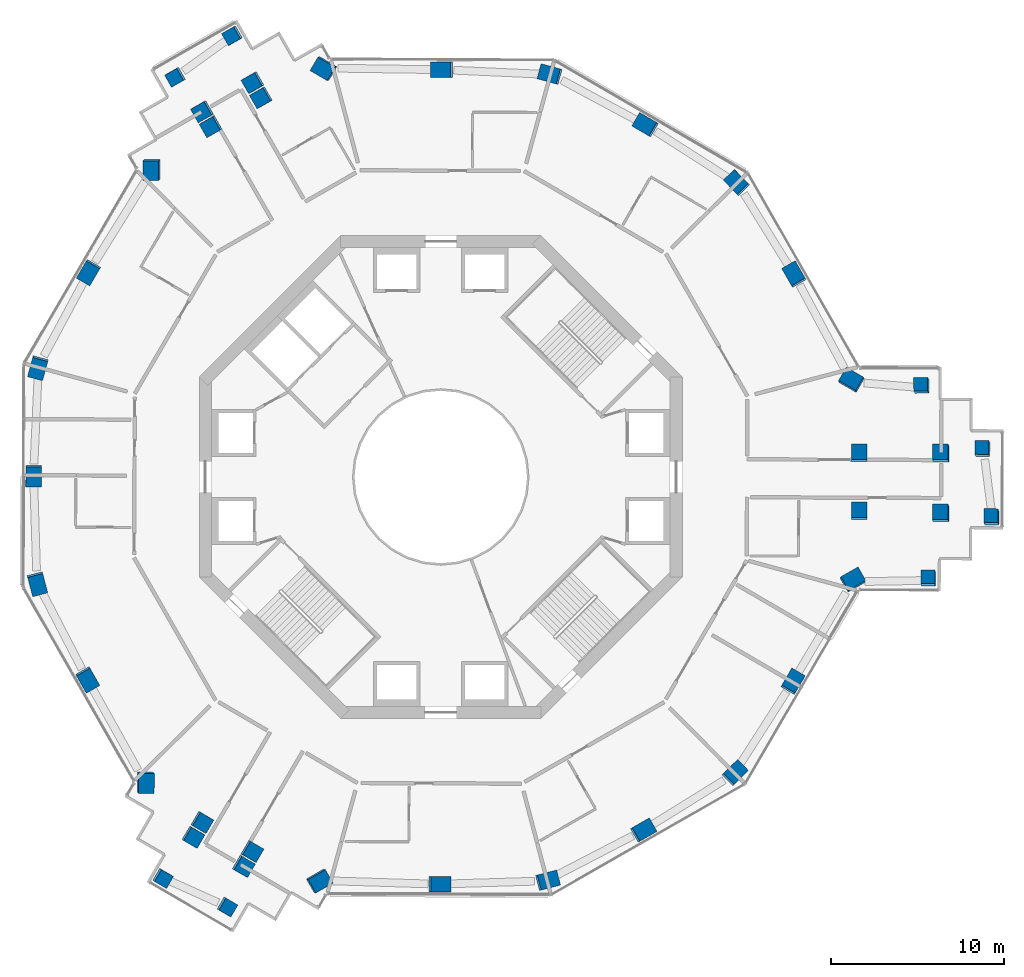
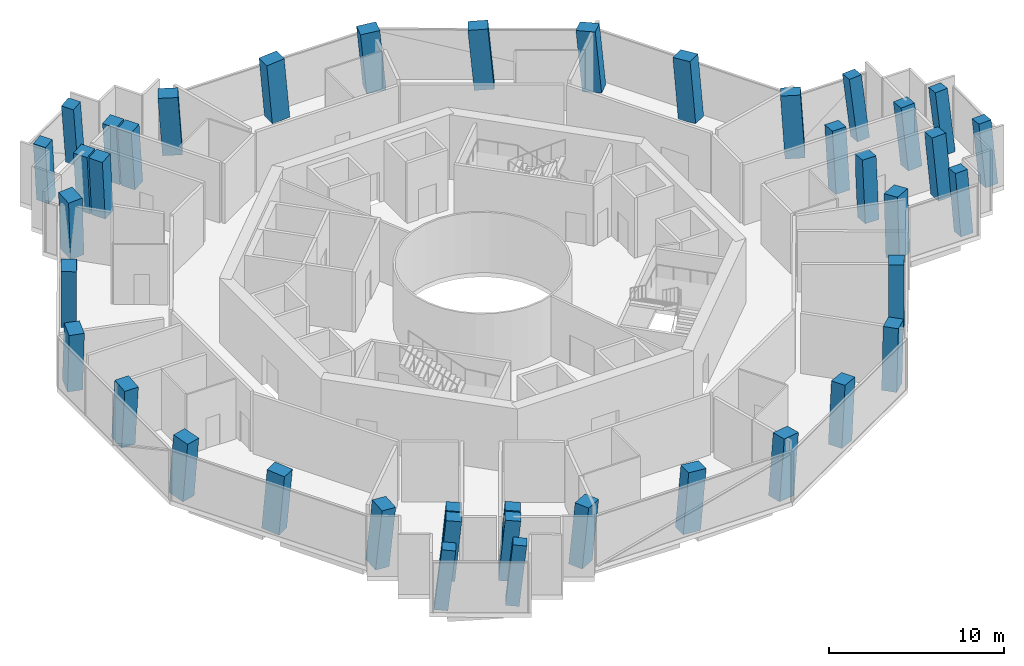
# One storey, part 1 of 16: 41 columns.
"""IFC4 building model written with IfcOpenShell, lengths in metres."""

from ifc_helpers import new_model, si_unit, direction, frame, origin, origin_2d, place, context, subcontext, project, spatial, rectangle, extrude, material, material_profile, profile_set, type_object, element, save


model = new_model("IFC4")

# Units and contexts
model_context = context("Model", 3, precision=1e-05, world=origin(), true_north=direction((0.0, 1.0)))
body_context = subcontext(model_context, "Body", "Model", "MODEL_VIEW")
ifc_project = project(units=[si_unit("LENGTHUNIT", "METRE"), si_unit("AREAUNIT", "SQUARE_METRE"), si_unit("VOLUMEUNIT", "CUBIC_METRE"), si_unit("PLANEANGLEUNIT", "RADIAN"), si_unit("MASSUNIT", "GRAM", prefix="KILO")], contexts=[model_context])

# Site, building, storey
site_placement = place(None, origin())
site = spatial("IfcSite", under=ifc_project, at=site_placement, CompositionType="ELEMENT")
building_placement = place(site_placement, origin())
building = spatial("IfcBuilding", under=site, at=building_placement, Name="Verdalira Terraces Hotel", CompositionType="ELEMENT")
storey_placement = place(building_placement, frame((0.0, 0.0, 154.0)))
storey = spatial("IfcBuildingStorey", under=building, at=storey_placement, Name="L37", CompositionType="ELEMENT", Elevation=154.0)

# Columns
ifc_material_1 = material(Name="Concrete C60", Category="concrete")
ifc_material_profile_1 = material_profile(ifc_material_1, rectangle(XDim=1.149902, YDim=0.899902, at=origin_2d()), Name="RC 1150X900")
ifc_profile_set_1 = profile_set([ifc_material_profile_1], Name="Concrete C60")
column_type_1 = type_object("IfcColumnType", Name="Column RC 1150X900 C60", PredefinedType="COLUMN", material=ifc_profile_set_1)
column_1_placement = place(storey_placement, frame((-16.736816, 17.828613, 0.0), z_axis=(-0.065629746, -0.062612287, 0.995877722), x_axis=(0.000393045, 0.99802773, 0.062773363)))
element("IfcColumn", 1, at=column_1_placement, inside=storey, type_object=column_type_1, Name="Column C01", PredefinedType="COLUMN", context=body_context, shape_type="SweptSolid", body=[
    extrude(rectangle(XDim=1.149902, YDim=0.899902, at=origin_2d()), origin(), (0.0, 0.0, 1.0), 4.207275),
])
column_2_placement = place(storey_placement, frame((-20.395752, 11.889648, 0.0), z_axis=(-0.04347539, -0.075980354, 0.996161069), x_axis=(-0.502014727, -0.860417708, -0.087536174)))
element("IfcColumn", 2, at=column_2_placement, inside=storey, type_object=column_type_1, Name="Column C02", PredefinedType="COLUMN", context=body_context, shape_type="SweptSolid", body=[
    extrude(rectangle(XDim=1.149902, YDim=0.899902, at=origin_2d()), origin(), (0.0, 0.0, 1.0), 4.206055),
])
column_3_placement = place(storey_placement, frame((-23.341797, 6.359375, 0.0), z_axis=(-0.022865105, -0.086759726, 0.995966835), x_axis=(0.261939638, 0.960904851, 0.08971897)))
element("IfcColumn", 3, at=column_3_placement, inside=storey, type_object=column_type_1, Name="Column C03", PredefinedType="COLUMN", context=body_context, shape_type="SweptSolid", body=[
    extrude(rectangle(XDim=1.149902, YDim=0.899902, at=origin_2d()), origin(), (0.0, 0.0, 1.0), 4.206787),
])
column_4_placement = place(storey_placement, frame((-23.608154, 0.098877, 0.0), z_axis=(0.000348268, -0.087531282, 0.99616171), x_axis=(-0.004447239, -0.996152055, -0.087528879)))
element("IfcColumn", 4, at=column_4_placement, inside=storey, type_object=column_type_1, Name="Column C04", PredefinedType="COLUMN", context=body_context, shape_type="SweptSolid", body=[
    extrude(rectangle(XDim=1.149902, YDim=0.899902, at=origin_2d()), origin(), (0.0, 0.0, 1.0), 4.206055),
])
column_5_placement = place(storey_placement, frame((-23.394287, -6.163574, 0.0), z_axis=(0.023561597, -0.086527935, 0.995970766), x_axis=(-0.253551051, 0.963156374, 0.089675322)))
element("IfcColumn", 5, at=column_5_placement, inside=storey, type_object=column_type_1, Name="Column C05", PredefinedType="COLUMN", context=body_context, shape_type="SweptSolid", body=[
    extrude(rectangle(XDim=1.149902, YDim=0.899902, at=origin_2d()), origin(), (0.0, 0.0, 1.0), 4.206787),
])
column_6_placement = place(storey_placement, frame((-20.494629, -11.718506, 0.0), z_axis=(0.044113811, -0.075631969, 0.996159514), x_axis=(0.494611965, -0.864692618, -0.087553873)))
element("IfcColumn", 6, at=column_6_placement, inside=storey, type_object=column_type_1, Name="Column C06", PredefinedType="COLUMN", context=body_context, shape_type="SweptSolid", body=[
    extrude(rectangle(XDim=1.149902, YDim=0.899902, at=origin_2d()), origin(), (0.0, 0.0, 1.0), 4.206055),
])
column_7_placement = place(storey_placement, frame((-17.139648, -17.686768, 0.0), z_axis=(0.066090264, -0.063014949, 0.995821868), x_axis=(0.008616564, 0.998002686, 0.062581089)))
element("IfcColumn", 7, at=column_7_placement, inside=storey, type_object=column_type_1, Name="Column C07", PredefinedType="COLUMN", context=body_context, shape_type="SweptSolid", body=[
    extrude(rectangle(XDim=1.149902, YDim=0.899902, at=origin_2d()), origin(), (0.0, 0.0, 1.0), 4.20752),
])
column_8_placement = place(storey_placement, frame((-7.071533, -23.408936, 0.0), z_axis=(0.087042203, -0.025474352, 0.995878864), x_axis=(-0.864210798, -0.499199651, 0.062764687)))
element("IfcColumn", 8, at=column_8_placement, inside=storey, type_object=column_type_1, Name="Column C10", PredefinedType="COLUMN", context=body_context, shape_type="SweptSolid", body=[
    extrude(rectangle(XDim=1.149902, YDim=0.899902, at=origin_2d()), origin(), (0.0, 0.0, 1.0), 4.207275),
])
column_9_placement = place(storey_placement, frame((-0.098877, -23.608154, 0.0), z_axis=(0.087531282, 0.000348268, 0.99616171), x_axis=(0.996152055, -0.004447239, -0.087528879)))
element("IfcColumn", 9, at=column_9_placement, inside=storey, type_object=column_type_1, Name="Column C11", PredefinedType="COLUMN", context=body_context, shape_type="SweptSolid", body=[
    extrude(rectangle(XDim=1.149902, YDim=0.899902, at=origin_2d()), origin(), (0.0, 0.0, 1.0), 4.206055),
])
column_10_placement = place(storey_placement, frame((6.163574, -23.394287, 0.0), z_axis=(0.086527935, 0.023561597, 0.995970766), x_axis=(-0.963156374, -0.253551051, 0.089675322)))
element("IfcColumn", 10, at=column_10_placement, inside=storey, type_object=column_type_1, Name="Column C12", PredefinedType="COLUMN", context=body_context, shape_type="SweptSolid", body=[
    extrude(rectangle(XDim=1.149902, YDim=0.899902, at=origin_2d()), origin(), (0.0, 0.0, 1.0), 4.206787),
])
column_11_placement = place(storey_placement, frame((11.718506, -20.494629, 0.0), z_axis=(0.075631969, 0.044113811, 0.996159514), x_axis=(0.864692618, 0.494611965, -0.087553873)))
element("IfcColumn", 11, at=column_11_placement, inside=storey, type_object=column_type_1, Name="Column C13", PredefinedType="COLUMN", context=body_context, shape_type="SweptSolid", body=[
    extrude(rectangle(XDim=1.149902, YDim=0.899902, at=origin_2d()), origin(), (0.0, 0.0, 1.0), 4.206055),
])
column_12_placement = place(storey_placement, frame((17.034912, -17.178223, 0.0), z_axis=(0.063198321, 0.063662588, 0.995968397), x_axis=(-0.707618105, -0.700878187, 0.089701637)))
element("IfcColumn", 12, at=column_12_placement, inside=storey, type_object=column_type_1, Name="Column C14", PredefinedType="COLUMN", context=body_context, shape_type="SweptSolid", body=[
    extrude(rectangle(XDim=1.149902, YDim=0.899902, at=origin_2d()), origin(), (0.0, 0.0, 1.0), 4.206787),
])
column_13_placement = place(storey_placement, frame((20.395752, -11.889648, 0.0), z_axis=(0.04347539, 0.075980354, 0.996161069), x_axis=(0.502014727, 0.860417708, -0.087536174)))
element("IfcColumn", 13, at=column_13_placement, inside=storey, type_object=column_type_1, Name="Column C15", PredefinedType="COLUMN", context=body_context, shape_type="SweptSolid", body=[
    extrude(rectangle(XDim=1.149902, YDim=0.899902, at=origin_2d()), origin(), (0.0, 0.0, 1.0), 4.206055),
])
column_14_placement = place(storey_placement, frame((23.886963, -6.0, 0.0), z_axis=(0.021527251, 0.088720126, 0.995823939), x_axis=(-0.868632881, -0.491490043, 0.062565614)))
element("IfcColumn", 14, at=column_14_placement, inside=storey, type_object=column_type_1, Name="Column C16", PredefinedType="COLUMN", context=body_context, shape_type="SweptSolid", body=[
    extrude(rectangle(XDim=1.149902, YDim=0.899902, at=origin_2d()), origin(), (0.0, 0.0, 1.0), 4.20752),
])
column_15_placement = place(storey_placement, frame((23.808594, 5.580322, 0.0), z_axis=(-0.021470464, 0.088086932, 0.995881374), x_axis=(0.864523456, -0.498660387, 0.062745609)))
element("IfcColumn", 15, at=column_15_placement, inside=storey, type_object=column_type_1, Name="Column C21", PredefinedType="COLUMN", context=body_context, shape_type="SweptSolid", body=[
    extrude(rectangle(XDim=1.149902, YDim=0.899902, at=origin_2d()), origin(), (0.0, 0.0, 1.0), 4.207275),
])
column_16_placement = place(storey_placement, frame((20.494629, 11.718506, 0.0), z_axis=(-0.044113811, 0.075631969, 0.996159514), x_axis=(-0.494611965, 0.864692618, -0.087553873)))
element("IfcColumn", 16, at=column_16_placement, inside=storey, type_object=column_type_1, Name="Column C22", PredefinedType="COLUMN", context=body_context, shape_type="SweptSolid", body=[
    extrude(rectangle(XDim=1.149902, YDim=0.899902, at=origin_2d()), origin(), (0.0, 0.0, 1.0), 4.206055),
])
column_17_placement = place(storey_placement, frame((17.178223, 17.034912, 0.0), z_axis=(-0.063662588, 0.063198321, 0.995968397), x_axis=(0.700878187, -0.707618105, 0.089701637)))
element("IfcColumn", 17, at=column_17_placement, inside=storey, type_object=column_type_1, Name="Column C23", PredefinedType="COLUMN", context=body_context, shape_type="SweptSolid", body=[
    extrude(rectangle(XDim=1.149902, YDim=0.899902, at=origin_2d()), origin(), (0.0, 0.0, 1.0), 4.206787),
])
column_18_placement = place(storey_placement, frame((11.889648, 20.395752, 0.0), z_axis=(-0.075980354, 0.04347539, 0.996161069), x_axis=(-0.860417708, 0.502014727, -0.087536174)))
element("IfcColumn", 18, at=column_18_placement, inside=storey, type_object=column_type_1, Name="Column C24", PredefinedType="COLUMN", context=body_context, shape_type="SweptSolid", body=[
    extrude(rectangle(XDim=1.149902, YDim=0.899902, at=origin_2d()), origin(), (0.0, 0.0, 1.0), 4.206055),
])
column_19_placement = place(storey_placement, frame((6.359375, 23.341797, 0.0), z_axis=(-0.086759726, 0.022865105, 0.995966835), x_axis=(0.960904851, -0.261939638, 0.08971897)))
element("IfcColumn", 19, at=column_19_placement, inside=storey, type_object=column_type_1, Name="Column C25", PredefinedType="COLUMN", context=body_context, shape_type="SweptSolid", body=[
    extrude(rectangle(XDim=1.149902, YDim=0.899902, at=origin_2d()), origin(), (0.0, 0.0, 1.0), 4.206787),
])
column_20_placement = place(storey_placement, frame((0.098877, 23.608154, 0.0), z_axis=(-0.087531282, -0.000348268, 0.99616171), x_axis=(-0.996152055, 0.004447239, -0.087528879)))
element("IfcColumn", 20, at=column_20_placement, inside=storey, type_object=column_type_1, Name="Column C26", PredefinedType="COLUMN", context=body_context, shape_type="SweptSolid", body=[
    extrude(rectangle(XDim=1.149902, YDim=0.899902, at=origin_2d()), origin(), (0.0, 0.0, 1.0), 4.206055),
])
column_21_placement = place(storey_placement, frame((-6.747314, 23.686768, 0.0), z_axis=(-0.087617394, -0.025762995, 0.995820998), x_axis=(0.860171436, -0.50615007, 0.062587591)))
element("IfcColumn", 21, at=column_21_placement, inside=storey, type_object=column_type_1, Name="Column C27", PredefinedType="COLUMN", context=body_context, shape_type="SweptSolid", body=[
    extrude(rectangle(XDim=1.149902, YDim=0.899902, at=origin_2d()), origin(), (0.0, 0.0, 1.0), 4.20752),
])
ifc_material_2 = material(Name="Concrete C60", Category="concrete")
ifc_material_profile_2 = material_profile(ifc_material_2, rectangle(XDim=0.800049, YDim=0.800049, at=origin_2d()), Name="RC 800X800")
ifc_profile_set_2 = profile_set([ifc_material_profile_2], Name="Concrete C60")
column_type_2 = type_object("IfcColumnType", Name="Column RC 800X800 C60", PredefinedType="COLUMN", material=ifc_profile_set_2)
column_22_placement = place(storey_placement, frame((-16.150146, -23.236816, 0.0), z_axis=(0.086515965, -0.059048739, 0.994498987), x_axis=(0.859643999, -0.500096588, -0.104477737)))
element("IfcColumn", 22, at=column_22_placement, inside=storey, type_object=column_type_2, Name="Column C08", PredefinedType="COLUMN", context=body_context, shape_type="SweptSolid", body=[
    extrude(rectangle(XDim=0.800049, YDim=0.800049, at=origin_2d()), origin(), (0.0, 0.0, 1.0), 4.213135),
])
column_23_placement = place(storey_placement, frame((-12.421143, -24.901367, 0.0), z_axis=(0.092616869, -0.045207233, 0.994675033), x_axis=(0.859069613, -0.501433604, -0.102780064)))
element("IfcColumn", 23, at=column_23_placement, inside=storey, type_object=column_type_2, Name="Column C09", PredefinedType="COLUMN", context=body_context, shape_type="SweptSolid", body=[
    extrude(rectangle(XDim=0.800049, YDim=0.800049, at=origin_2d()), origin(), (0.0, 0.0, 1.0), 4.212402),
])
column_24_placement = place(storey_placement, frame((28.274414, -5.908447, 0.0), z_axis=(-0.02693732, 0.104215568, 0.994189869), x_axis=(0.99962841, -0.001344484, 0.027225611)))
element("IfcColumn", 24, at=column_24_placement, inside=storey, type_object=column_type_2, Name="Column C17", PredefinedType="COLUMN", context=body_context, shape_type="SweptSolid", body=[
    extrude(rectangle(XDim=0.800049, YDim=0.800049, at=origin_2d()), origin(), (0.0, 0.0, 1.0), 4.214355),
])
column_25_placement = place(storey_placement, frame((31.949219, -2.383789, 0.0), z_axis=(-0.040009885, 0.117485674, 0.992268273), x_axis=(0.009029198, 0.993065399, -0.117215982)))
element("IfcColumn", 25, at=column_25_placement, inside=storey, type_object=column_type_2, Name="Column C18", PredefinedType="COLUMN", context=body_context, shape_type="SweptSolid", body=[
    extrude(rectangle(XDim=0.800049, YDim=0.800049, at=origin_2d()), origin(), (0.0, 0.0, 1.0), 4.222656),
])
column_26_placement = place(storey_placement, frame((31.425781, 1.578369, 0.0), z_axis=(-0.054612849, 0.115409374, 0.991815564), x_axis=(0.010674055, 0.993308678, -0.114995365)))
element("IfcColumn", 26, at=column_26_placement, inside=storey, type_object=column_type_2, Name="Column C19", PredefinedType="COLUMN", context=body_context, shape_type="SweptSolid", body=[
    extrude(rectangle(XDim=0.800049, YDim=0.800049, at=origin_2d()), origin(), (0.0, 0.0, 1.0), 4.224609),
])
column_27_placement = place(storey_placement, frame((27.901123, 5.253174, 0.0), z_axis=(-0.068119254, 0.102352359, 0.9924131), x_axis=(-0.997667829, -0.0026803, -0.068203506)))
element("IfcColumn", 27, at=column_27_placement, inside=storey, type_object=column_type_2, Name="Column C20", PredefinedType="COLUMN", context=body_context, shape_type="SweptSolid", body=[
    extrude(rectangle(XDim=0.800049, YDim=0.800049, at=origin_2d()), origin(), (0.0, 0.0, 1.0), 4.221924),
])
column_28_placement = place(storey_placement, frame((-12.048584, 25.604736, 0.0), z_axis=(-0.094396964, -0.045373126, 0.994500122), x_axis=(-0.863039056, -0.494216791, -0.104466983)))
element("IfcColumn", 28, at=column_28_placement, inside=storey, type_object=column_type_2, Name="Column C28", PredefinedType="COLUMN", context=body_context, shape_type="SweptSolid", body=[
    extrude(rectangle(XDim=0.800049, YDim=0.800049, at=origin_2d()), origin(), (0.0, 0.0, 1.0), 4.213135),
])
column_29_placement = place(storey_placement, frame((-15.354492, 23.20752, 0.0), z_axis=(-0.085488083, -0.057552316, 0.994675585), x_axis=(-0.864075913, -0.492757714, -0.102774757)))
element("IfcColumn", 29, at=column_29_placement, inside=storey, type_object=column_type_2, Name="Column C29", PredefinedType="COLUMN", context=body_context, shape_type="SweptSolid", body=[
    extrude(rectangle(XDim=0.800049, YDim=0.800049, at=origin_2d()), origin(), (0.0, 0.0, 1.0), 4.212402),
])
ifc_material_3 = material(Name="Concrete C60", Category="concrete")
ifc_material_profile_3 = material_profile(ifc_material_3, rectangle(XDim=0.899902, YDim=0.899902, at=origin_2d()), Name="RC 900X900")
ifc_profile_set_3 = profile_set([ifc_material_profile_3], Name="Concrete C60")
column_type_3 = type_object("IfcColumnType", Name="Column RC 900X900 C60", PredefinedType="COLUMN", material=ifc_profile_set_3)
for number, where, z_axis, x_axis, name in (
    (30, (-10.385986, 22.005127, 0.0), (-0.081300744, -0.039170594, 0.995919602), (-0.495536024, 0.868564605, -0.006290925), "Column C30"),
    (31, (-13.299805, 20.339111, 0.0), (-0.07503433, -0.049906824, 0.995931302), (-0.496351601, 0.868100115, 0.006105552), "Column C31"),
):
    element("IfcColumn", number, at=place(storey_placement, frame(where, z_axis=z_axis, x_axis=x_axis)), inside=storey, type_object=column_type_3, Name=name, PredefinedType="COLUMN", context=body_context, shape_type="SweptSolid", body=[
        extrude(rectangle(XDim=0.899902, YDim=0.899902, at=origin_2d()), origin(), (0.0, 0.0, 1.0), 4.207031),
    ])
for number, where, z_axis, x_axis, name in (
    (32, (-10.86792, 22.881592, 0.0), (-0.08446379, -0.041013667, 0.995582115), (-0.496058869, 0.868265918, -0.006316147), "Column C32"),
    (33, (-13.796143, 21.207275, 0.0), (-0.078199307, -0.05180414, 0.99559088), (-0.496820414, 0.8678317, 0.006133306), "Column C33"),
):
    element("IfcColumn", number, at=place(storey_placement, frame(where, z_axis=z_axis, x_axis=x_axis)), inside=storey, type_object=column_type_3, Name=name, PredefinedType="COLUMN", context=body_context, shape_type="SweptSolid", body=[
        extrude(rectangle(XDim=0.899902, YDim=0.899902, at=origin_2d()), origin(), (0.0, 0.0, 1.0), 4.208496),
    ])
for number, where, z_axis, x_axis, name in (
    (34, (-13.864014, -19.997314, 0.0), (0.074569402, -0.05077683, 0.995922245), (-0.504083924, -0.863631778, -0.006288892), "Column C34"),
    (35, (-10.964355, -21.6875, 0.0), (0.080779291, -0.039983428, 0.995929732), (-0.503059185, -0.864230389, 0.006106727), "Column C35"),
):
    element("IfcColumn", number, at=place(storey_placement, frame(where, z_axis=z_axis, x_axis=x_axis)), inside=storey, type_object=column_type_3, Name=name, PredefinedType="COLUMN", context=body_context, shape_type="SweptSolid", body=[
        extrude(rectangle(XDim=0.899902, YDim=0.899902, at=origin_2d()), origin(), (0.0, 0.0, 1.0), 4.207031),
    ])
for number, where, z_axis, x_axis, name in (
    (36, (-14.38208, -20.852783, 0.0), (0.077734733, -0.052615972, 0.995584688), (-0.503803156, -0.863795409, -0.006314311), "Column C36"),
    (37, (-11.468018, -22.551514, 0.0), (0.083942559, -0.041826251, 0.995592392), (-0.503286905, -0.864097614, 0.006132256), "Column C37"),
):
    element("IfcColumn", number, at=place(storey_placement, frame(where, z_axis=z_axis, x_axis=x_axis)), inside=storey, type_object=column_type_3, Name=name, PredefinedType="COLUMN", context=body_context, shape_type="SweptSolid", body=[
        extrude(rectangle(XDim=0.899902, YDim=0.899902, at=origin_2d()), origin(), (0.0, 0.0, 1.0), 4.208496),
    ])
for number, where, z_axis, x_axis, name in (
    (38, (24.25, -2.008057, 0.0), (0.006731532, 0.090005224, 0.995918544), (0.999966846, -0.005169132, -0.006291739), "Column C38"),
    (39, (24.26416, 1.348389, 0.0), (-0.00574508, 0.089948217, 0.995929873), (0.999974343, -0.00374476, 0.006106621), "Column C39"),
):
    element("IfcColumn", number, at=place(storey_placement, frame(where, z_axis=z_axis, x_axis=x_axis)), inside=storey, type_object=column_type_3, Name=name, PredefinedType="COLUMN", context=body_context, shape_type="SweptSolid", body=[
        extrude(rectangle(XDim=0.899902, YDim=0.899902, at=origin_2d()), origin(), (0.0, 0.0, 1.0), 4.207031),
    ])
column_30_placement = place(storey_placement, frame((29.000244, -2.143799, 0.0), z_axis=(-0.040867801, 0.106742528, 0.993446453), x_axis=(0.999155578, 0.000149487, 0.041086597)))
element("IfcColumn", 40, at=column_30_placement, inside=storey, type_object=column_type_3, Name="Column C40", PredefinedType="COLUMN", context=body_context, shape_type="SweptSolid", body=[
    extrude(rectangle(XDim=0.899902, YDim=0.899902, at=origin_2d()), origin(), (0.0, 0.0, 1.0), 4.217529),
])
column_31_placement = place(storey_placement, frame((29.014893, 1.328613, 0.0), z_axis=(-0.053686627, 0.106563326, 0.99285548), x_axis=(0.998550007, 0.001792666, 0.053802139)))
element("IfcColumn", 41, at=column_31_placement, inside=storey, type_object=column_type_3, Name="Column C41", PredefinedType="COLUMN", context=body_context, shape_type="SweptSolid", body=[
    extrude(rectangle(XDim=0.899902, YDim=0.899902, at=origin_2d()), origin(), (0.0, 0.0, 1.0), 4.219971),
])

save(model, "model.ifc")
